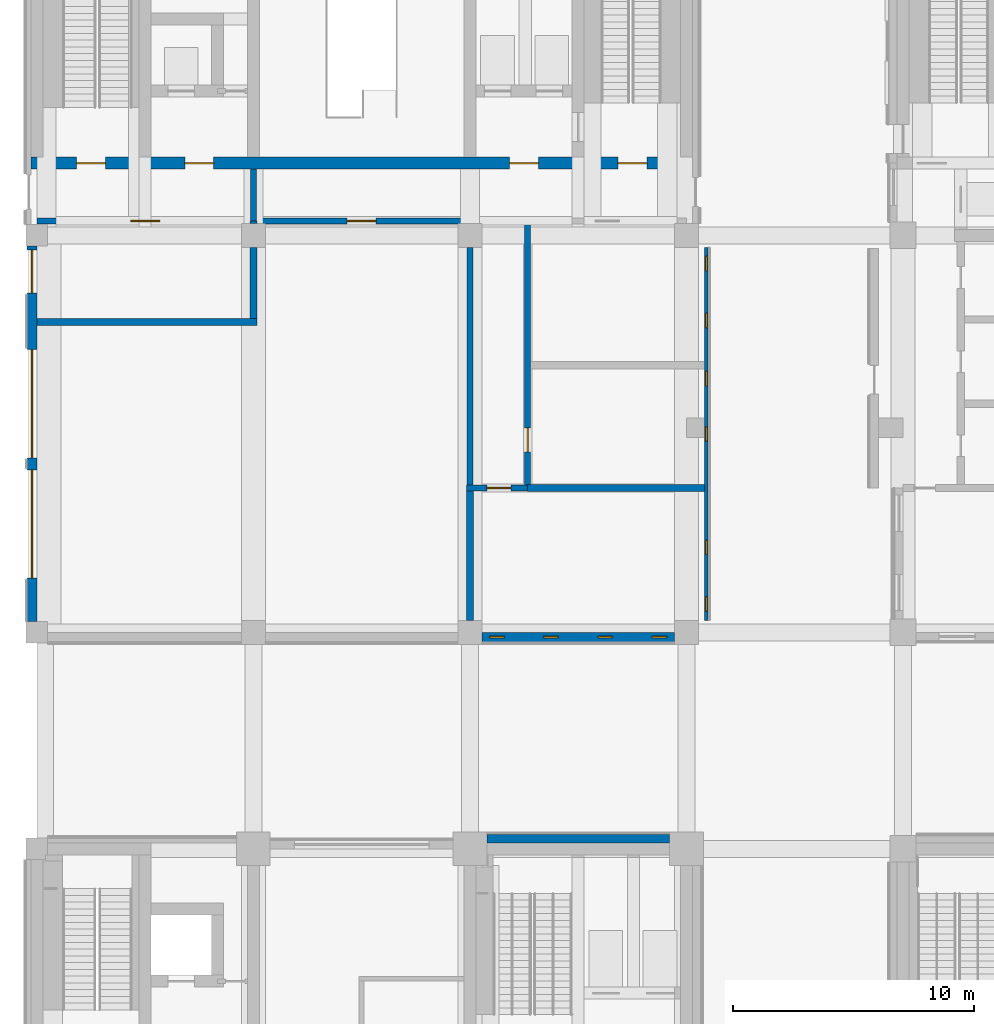
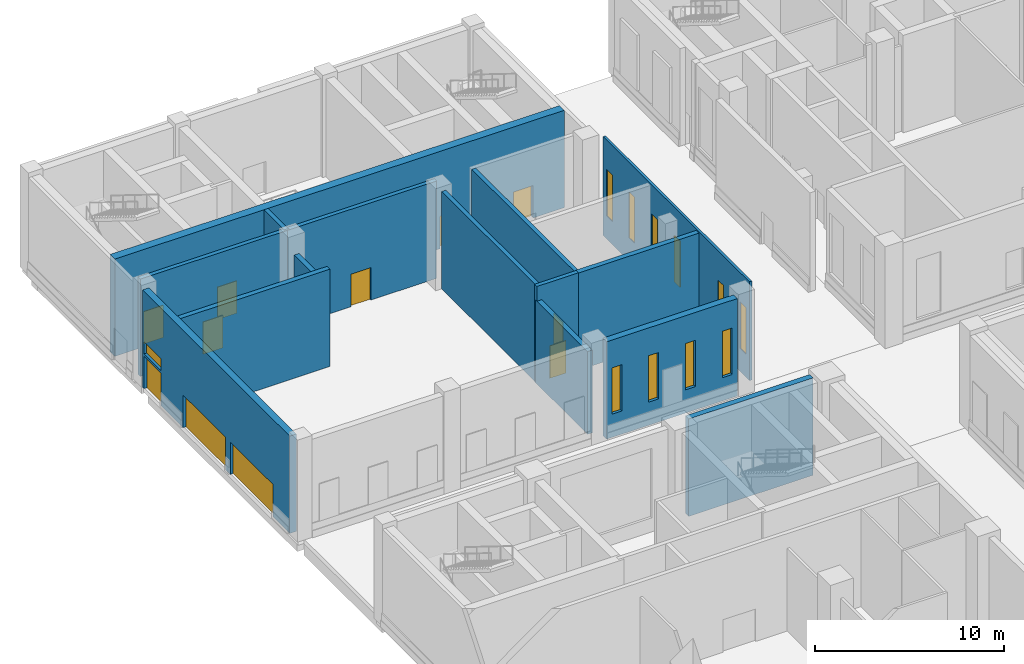
# One storey, part 11 of 35: 16 walls, 11 doors, 11 windows, 22 openings.
"""IFC4 building model written with IfcOpenShell, lengths in metres."""

import ifcopenshell
import ifcopenshell.guid

model = None  # the IFC model being written
_history = None  # IfcOwnerHistory: only IFC2X3 demands one
_inside = {}  # id of a spatial element -> (the spatial element, [elements in it])
_under = {}  # id of a project, library or spatial element -> (it, [spatial elements below it])
_declared = {}  # id of a project -> (the project, [libraries it declares])
_typed = {}  # id of a type object -> (the type object, [elements of that type])
_made_of = {}  # id of a material, layer set ... -> (it, [elements and type objects made of it])


def new_model(schema):
    """Start an empty IFC model of exactly this schema.

    Asked for "IFC4X3", IfcOpenShell would pick the latest addendum, in which some entities
    have other attributes; the version numbers below select the first issue.
    IFC2X3 requires an IfcOwnerHistory on every rooted entity: one is made here for all.
    """
    global model, _history
    if schema == "IFC4X3":
        model = ifcopenshell.file(schema_version=(4, 3, 0, 0))
    else:
        model = ifcopenshell.file(schema=schema)
    _inside.clear()
    _under.clear()
    _declared.clear()
    _typed.clear()
    _made_of.clear()
    _history = None
    if model.schema == "IFC2X3":
        org = make("IfcOrganization", Name="unknown")
        user = make(
            "IfcPersonAndOrganization",
            ThePerson=make("IfcPerson", FamilyName="unknown"),
            TheOrganization=org,
        )
        app = make(
            "IfcApplication",
            ApplicationDeveloper=org,
            Version="unknown",
            ApplicationFullName="unknown",
            ApplicationIdentifier="unknown",
        )
        _history = make(
            "IfcOwnerHistory",
            OwningUser=user,
            OwningApplication=app,
            ChangeAction="ADDED",
            CreationDate=0,
        )
    return model


def make(cls, **values):
    """One entity of the class cls with the attributes given. An attribute that is None is left unset."""
    return model.create_entity(
        cls, **{name: value for name, value in values.items() if value is not None}
    )


def rooted(cls, **values):
    """An entity with a GlobalId (a new one), such as an element, a storey or a relation."""
    return make(cls, GlobalId=ifcopenshell.guid.new(), OwnerHistory=_history, **values)


def si_unit(unit_type, name, prefix=None):
    """IfcSIUnit, for example si_unit("LENGTHUNIT", "METRE", prefix="MILLI")."""
    return make("IfcSIUnit", UnitType=unit_type, Prefix=prefix, Name=name)


def assignment(units):
    """IfcUnitAssignment: the units of a project."""
    return None if units is None else make("IfcUnitAssignment", Units=units)


def point(xyz):
    """IfcCartesianPoint."""
    return None if xyz is None else make("IfcCartesianPoint", Coordinates=xyz)


def direction(xyz):
    """IfcDirection."""
    return None if xyz is None else make("IfcDirection", DirectionRatios=xyz)


def frame(location, z_axis=None, x_axis=None):
    """IfcAxis2Placement3D, a coordinate frame: its origin and axes. An axis left out is left unset."""
    return make(
        "IfcAxis2Placement3D",
        Location=point(location),
        Axis=direction(z_axis),
        RefDirection=direction(x_axis),
    )


def frame_2d(location, x_axis=None):
    """IfcAxis2Placement2D, a coordinate frame in the plane: its origin and x axis."""
    return make(
        "IfcAxis2Placement2D", Location=point(location), RefDirection=direction(x_axis)
    )


def origin():
    """The frame at (0, 0, 0) with its axes left unset."""
    return frame((0.0, 0.0, 0.0))


def place(relative_to, where):
    """IfcLocalPlacement: puts the frame where relative to a parent placement (None: the world)."""
    return make(
        "IfcLocalPlacement", PlacementRelTo=relative_to, RelativePlacement=where
    )


def context(
    kind, dimensions, precision=None, world=None, true_north=None, identifier=None
):
    """IfcGeometricRepresentationContext, for example the 3D "Model" context."""
    return make(
        "IfcGeometricRepresentationContext",
        ContextIdentifier=identifier,
        ContextType=kind,
        CoordinateSpaceDimension=dimensions,
        Precision=precision,
        WorldCoordinateSystem=world,
        TrueNorth=true_north,
    )


def subcontext(parent, identifier, kind, view, scale=None):
    """IfcGeometricRepresentationSubContext, for example "Body" below "Model"."""
    return make(
        "IfcGeometricRepresentationSubContext",
        ContextIdentifier=identifier,
        ContextType=kind,
        ParentContext=parent,
        TargetScale=scale,
        TargetView=view,
    )


def project(units=None, contexts=None):
    """IfcProject with its units and contexts."""
    return rooted(
        "IfcProject",
        Name="project",
        RepresentationContexts=contexts,
        UnitsInContext=assignment(units),
    )


def spatial(cls, under=None, at=None, **own):
    """A site, building, storey or space (cls), placed at a placement, below another one or the project."""
    s = rooted(cls, ObjectPlacement=at, **own)
    if under is not None:
        _under.setdefault(under.id(), (under, []))[1].append(s)
    return s


def profile(cls, at=None, kind="AREA", **sizes):
    """A parametric profile (cls). Its sizes go by their IFC names, for example OverallWidth=200.0."""
    return make(cls, ProfileType=kind, Position=at, **sizes)


def rectangle(**sizes):
    """IfcRectangleProfileDef."""
    return profile("IfcRectangleProfileDef", **sizes)


def extrude(swept, where, along, depth):
    """IfcExtrudedAreaSolid: the profile swept, set in the frame where, extruded along a direction by depth."""
    return make(
        "IfcExtrudedAreaSolid",
        SweptArea=swept,
        Position=where,
        ExtrudedDirection=direction(along),
        Depth=depth,
    )


def shape(context_of_items, identifier, shape_type, items):
    """IfcShapeRepresentation: the items that make up one representation, for example the "Body"."""
    return make(
        "IfcShapeRepresentation",
        ContextOfItems=context_of_items,
        RepresentationIdentifier=identifier,
        RepresentationType=shape_type,
        Items=items,
    )


def material(Name=None, Category=None):
    """IfcMaterial."""
    return make("IfcMaterial", Name=Name, Category=Category)


def layer(
    of_material, thickness, ventilated=None, Name=None, Category=None, Priority=None
):
    """IfcMaterialLayer: one layer of a wall or slab, of a material (None: an air gap)."""
    return make(
        "IfcMaterialLayer",
        Material=of_material,
        LayerThickness=thickness,
        IsVentilated=ventilated,
        Name=Name,
        Category=Category,
        Priority=Priority,
    )


def layer_set(layers, Name=None):
    """IfcMaterialLayerSet."""
    return make("IfcMaterialLayerSet", MaterialLayers=layers, LayerSetName=Name)


def made_of(thing, what):
    """Note that an element or type object is made of a material, layer set ...; save() writes the relation."""
    if what is not None:
        _made_of.setdefault(what.id(), (what, []))[1].append(thing)
    return thing


def type_object(cls, material=None, **own):
    """A type object (cls), such as IfcWallType, which elements share."""
    return made_of(rooted(cls, **own), material)


def element(
    cls,
    number,
    at=None,
    inside=None,
    cuts=None,
    type_object=None,
    material=None,
    context=None,
    identifier="Body",
    shape_type=None,
    held_by="IfcProductDefinitionShape",
    body=None,
    shapes=None,
    **own,
):
    """One element of the class cls, such as IfcWall. Its Tag is "e" and its number.

    at: its placement. inside: the storey or other place that contains it. cuts: it is an
    opening in that element (IfcRelVoidsElement). A single representation is given by context,
    identifier, shape_type and body (its items); several are given by shapes. held_by: the class
    of the entity that holds the representations. save() writes the other relations.
    """
    e = rooted(cls, Tag="e%d" % number, ObjectPlacement=at, **own)
    if body is not None:
        shapes = [shape(context, identifier, shape_type, body)]
    if shapes is not None:
        e.Representation = make(held_by, Representations=shapes)
    if inside is not None:
        _inside.setdefault(inside.id(), (inside, []))[1].append(e)
    if cuts is not None:
        rooted(
            "IfcRelVoidsElement", RelatingBuildingElement=cuts, RelatedOpeningElement=e
        )
    if type_object is not None:
        _typed.setdefault(type_object.id(), (type_object, []))[1].append(e)
    return made_of(e, material)


def fill(opening, filler):
    """IfcRelFillsElement: the door or window that sits in an opening."""
    return rooted(
        "IfcRelFillsElement",
        RelatingOpeningElement=opening,
        RelatedBuildingElement=filler,
    )


def aggregate(whole, parts):
    """IfcRelAggregates: a whole, such as a stair, and the parts it consists of."""
    return rooted("IfcRelAggregates", RelatingObject=whole, RelatedObjects=parts)


def save(model, path):
    """Write the relations noted so far, then the file.

    IfcRelAggregates (storeys below a building ...), IfcRelContainedInSpatialStructure (elements
    in a storey), IfcRelDefinesByType, IfcRelAssociatesMaterial and IfcRelDeclares: one each for
    every whole, place, type object, material and project.
    """
    for whole, parts in _under.values():
        aggregate(whole, parts)
    for where, things in _inside.values():
        rooted(
            "IfcRelContainedInSpatialStructure",
            RelatedElements=things,
            RelatingStructure=where,
        )
    for kind, things in _typed.values():
        rooted("IfcRelDefinesByType", RelatedObjects=things, RelatingType=kind)
    for what, things in _made_of.values():
        rooted("IfcRelAssociatesMaterial", RelatedObjects=things, RelatingMaterial=what)
    for by, libraries in _declared.values():
        rooted("IfcRelDeclares", RelatingContext=by, RelatedDefinitions=libraries)
    model.write(path)


model = new_model("IFC4")

# Units and contexts
model_context = context("Model", 3, precision=1e-05, world=origin(), true_north=direction((0.0, 1.0)))
body_context = subcontext(model_context, "Body", "Model", "MODEL_VIEW")
ifc_project = project(units=[si_unit("LENGTHUNIT", "METRE"), si_unit("AREAUNIT", "SQUARE_METRE"), si_unit("VOLUMEUNIT", "CUBIC_METRE"), si_unit("PLANEANGLEUNIT", "RADIAN"), si_unit("MASSUNIT", "GRAM", prefix="KILO")], contexts=[model_context])

# Site, building, storey
site_placement = place(None, origin())
site = spatial("IfcSite", under=ifc_project, at=site_placement, CompositionType="ELEMENT")
building_placement = place(site_placement, origin())
building = spatial("IfcBuilding", under=site, at=building_placement, Name="Aurelan Courthouse", CompositionType="ELEMENT")
storey_placement = place(building_placement, origin())
storey = spatial("IfcBuildingStorey", under=building, at=storey_placement, Name="L00", CompositionType="ELEMENT", Elevation=0.0)

# Wall
ifc_material_1 = material(Name="Granite cladding", Category="masonry")
ifc_layer_1 = layer(ifc_material_1, 0.10009765625, Name="Facing")
ifc_material_2 = material(Name="Ventilated cavity")
ifc_layer_2 = layer(ifc_material_2, 0.02490234375, ventilated=True, Name="Ventilated cavity")
ifc_material_3 = material(Name="Mineral wool insulation")
ifc_layer_3 = layer(ifc_material_3, 0.050048828125, Name="Insulation")
ifc_material_4 = material(Name="Concrete C30", Category="concrete")
ifc_layer_4 = layer(ifc_material_4, 0.175048828125, Name="Structure")
ifc_layer_set_1 = layer_set([ifc_layer_1, ifc_layer_2, ifc_layer_3, ifc_layer_4], Name="Concrete C30")
wall_type_1 = type_object("IfcWallType", Name="Courts' Floors granite-faced wall 350", PredefinedType="SOLIDWALL", material=ifc_layer_set_1)
wall_1_placement = place(storey_placement, frame((18.699951171875, 28.925048828125, 0.0), z_axis=(0.0, 0.0, 1.0), x_axis=(1.0, 0.0, 0.0)))
element("IfcWall", 1, at=wall_1_placement, inside=storey, type_object=wall_type_1, Name="Facade wall FW-V5-L00-006", PredefinedType="SOLIDWALL", context=body_context, shape_type="SweptSolid", body=[
    extrude(rectangle(XDim=7.60009765625, YDim=0.35009765625, at=frame_2d((3.800048828125, 0.0))), origin(), (0.0, 0.0, 1.0), 6.300048828125),
])

# Wall, openings, windows
ifc_layer_5 = layer(ifc_material_1, 0.044921875, Name="Facing")
ifc_layer_6 = layer(ifc_material_2, 0.02490234375, ventilated=True, Name="Ventilated cavity")
ifc_layer_7 = layer(ifc_material_3, 0.02001953125, Name="Insulation")
ifc_layer_8 = layer(ifc_material_4, 0.06005859375, Name="Structure")
ifc_layer_set_2 = layer_set([ifc_layer_5, ifc_layer_6, ifc_layer_7, ifc_layer_8], Name="Concrete C30")
wall_type_2 = type_object("IfcWallType", Name="Custody Suite granite-faced wall 150", PredefinedType="SOLIDWALL", material=ifc_layer_set_2)
wall_2_placement = place(storey_placement, frame((27.824951171875, 38.0, 0.0), z_axis=(0.0, 0.0, 1.0), x_axis=(0.0, 1.0, 0.0)))
wall_2 = element("IfcWall", 2, at=wall_2_placement, inside=storey, type_object=wall_type_2, Name="Facade wall FW-V6-L00-008", PredefinedType="SOLIDWALL", context=body_context, shape_type="SweptSolid", body=[
    extrude(rectangle(XDim=15.5, YDim=0.14990234375, at=frame_2d((7.75, 0.0))), origin(), (0.0, 0.0, 1.0), 6.39990234375),
])
opening_1_placement = place(wall_2_placement, frame((0.378662109375, 0.0, 1.5)))
opening_1 = element("IfcOpeningElement", 3, at=opening_1_placement, cuts=wall_2, Name="Opening WN-V6-L00-005", PredefinedType="OPENING", context=body_context, shape_type="SweptSolid", body=[
    extrude(rectangle(XDim=0.60009765625, YDim=3.0, at=frame_2d((0.300048828125, 1.5))), frame((0.0, 0.0849609375, 0.0), z_axis=(0.0, -1.0, 0.0), x_axis=(1.0, 0.0, 0.0)), (0.0, 0.0, 1.0), 0.169921875),
])
opening_2_placement = place(wall_2_placement, frame((2.735595703125, 0.0, 1.5)))
opening_2 = element("IfcOpeningElement", 4, at=opening_2_placement, cuts=wall_2, Name="Opening WN-V6-L00-006", PredefinedType="OPENING", context=body_context, shape_type="SweptSolid", body=[
    extrude(rectangle(XDim=0.60009765625, YDim=3.0, at=frame_2d((0.300048828125, 1.5))), frame((0.0, 0.0849609375, 0.0), z_axis=(0.0, -1.0, 0.0), x_axis=(1.0, 0.0, 0.0)), (0.0, 0.0, 1.0), 0.169921875),
])
opening_3_placement = place(wall_2_placement, frame((7.449951171875, 0.0, 1.5)))
opening_3 = element("IfcOpeningElement", 5, at=opening_3_placement, cuts=wall_2, Name="Opening WN-V6-L00-007", PredefinedType="OPENING", context=body_context, shape_type="SweptSolid", body=[
    extrude(rectangle(XDim=0.60009765625, YDim=3.0, at=frame_2d((0.300048828125, 1.5))), frame((0.0, 0.0849609375, 0.0), z_axis=(0.0, -1.0, 0.0), x_axis=(1.0, 0.0, 0.0)), (0.0, 0.0, 1.0), 0.169921875),
])
opening_4_placement = place(wall_2_placement, frame((9.7470703125, 0.0, 1.5)))
opening_4 = element("IfcOpeningElement", 6, at=opening_4_placement, cuts=wall_2, Name="Opening WN-V6-L00-008", PredefinedType="OPENING", context=body_context, shape_type="SweptSolid", body=[
    extrude(rectangle(XDim=0.60009765625, YDim=3.0, at=frame_2d((0.300048828125, 1.5))), frame((0.0, 0.0849609375, 0.0), z_axis=(0.0, -1.0, 0.0), x_axis=(1.0, 0.0, 0.0)), (0.0, 0.0, 1.0), 0.169921875),
])
opening_5_placement = place(wall_2_placement, frame((12.164306640625, 0.0, 1.5)))
opening_5 = element("IfcOpeningElement", 7, at=opening_5_placement, cuts=wall_2, Name="Opening WN-V6-L00-009", PredefinedType="OPENING", context=body_context, shape_type="SweptSolid", body=[
    extrude(rectangle(XDim=0.60009765625, YDim=3.0, at=frame_2d((0.300048828125, 1.5))), frame((0.0, 0.0849609375, 0.0), z_axis=(0.0, -1.0, 0.0), x_axis=(1.0, 0.0, 0.0)), (0.0, 0.0, 1.0), 0.169921875),
])
opening_6_placement = place(wall_2_placement, frame((14.521484375, 0.0, 1.5)))
opening_6 = element("IfcOpeningElement", 8, at=opening_6_placement, cuts=wall_2, Name="Opening WN-V6-L00-010", PredefinedType="OPENING", context=body_context, shape_type="SweptSolid", body=[
    extrude(rectangle(XDim=0.60009765625, YDim=3.0, at=frame_2d((0.300048828125, 1.5))), frame((0.0, 0.0849609375, 0.0), z_axis=(0.0, -1.0, 0.0), x_axis=(1.0, 0.0, 0.0)), (0.0, 0.0, 1.0), 0.169921875),
])
ifc_material_5 = material(Name="Bronze-finished aluminium and glass", Category="aluminium")
window_type_1 = type_object("IfcWindowType", Name="Custody Suite slit window 600 x 3000, sill 1500", PartitioningType="SINGLE_PANEL", PredefinedType="WINDOW", material=ifc_material_5)
window_1_placement = place(opening_1_placement, origin())
window_1 = element("IfcWindow", 9, at=window_1_placement, inside=storey, type_object=window_type_1, Name="Slit window WN-V6-L00-005", OverallHeight=3.0, OverallWidth=0.60009765625, PartitioningType="SINGLE_PANEL", PredefinedType="WINDOW", context=body_context, shape_type="SweptSolid", body=[
    extrude(rectangle(XDim=0.60009765625, YDim=3.0, at=frame_2d((0.300048828125, 1.5))), frame((0.0, 0.030029296875, 0.0), z_axis=(0.0, -1.0, 0.0), x_axis=(1.0, 0.0, 0.0)), (0.0, 0.0, 1.0), 0.06005859375),
])
fill(opening_1, window_1)
window_2_placement = place(opening_2_placement, origin())
window_2 = element("IfcWindow", 10, at=window_2_placement, inside=storey, type_object=window_type_1, Name="Slit window WN-V6-L00-006", OverallHeight=3.0, OverallWidth=0.60009765625, PartitioningType="SINGLE_PANEL", PredefinedType="WINDOW", context=body_context, shape_type="SweptSolid", body=[
    extrude(rectangle(XDim=0.60009765625, YDim=3.0, at=frame_2d((0.300048828125, 1.5))), frame((0.0, 0.030029296875, 0.0), z_axis=(0.0, -1.0, 0.0), x_axis=(1.0, 0.0, 0.0)), (0.0, 0.0, 1.0), 0.06005859375),
])
fill(opening_2, window_2)
window_3_placement = place(opening_3_placement, origin())
window_3 = element("IfcWindow", 11, at=window_3_placement, inside=storey, type_object=window_type_1, Name="Slit window WN-V6-L00-007", OverallHeight=3.0, OverallWidth=0.60009765625, PartitioningType="SINGLE_PANEL", PredefinedType="WINDOW", context=body_context, shape_type="SweptSolid", body=[
    extrude(rectangle(XDim=0.60009765625, YDim=3.0, at=frame_2d((0.300048828125, 1.5))), frame((0.0, 0.030029296875, 0.0), z_axis=(0.0, -1.0, 0.0), x_axis=(1.0, 0.0, 0.0)), (0.0, 0.0, 1.0), 0.06005859375),
])
fill(opening_3, window_3)
window_4_placement = place(opening_4_placement, origin())
window_4 = element("IfcWindow", 12, at=window_4_placement, inside=storey, type_object=window_type_1, Name="Slit window WN-V6-L00-008", OverallHeight=3.0, OverallWidth=0.60009765625, PartitioningType="SINGLE_PANEL", PredefinedType="WINDOW", context=body_context, shape_type="SweptSolid", body=[
    extrude(rectangle(XDim=0.60009765625, YDim=3.0, at=frame_2d((0.300048828125, 1.5))), frame((0.0, 0.030029296875, 0.0), z_axis=(0.0, -1.0, 0.0), x_axis=(1.0, 0.0, 0.0)), (0.0, 0.0, 1.0), 0.06005859375),
])
fill(opening_4, window_4)
window_5_placement = place(opening_5_placement, origin())
window_5 = element("IfcWindow", 13, at=window_5_placement, inside=storey, type_object=window_type_1, Name="Slit window WN-V6-L00-009", OverallHeight=3.0, OverallWidth=0.60009765625, PartitioningType="SINGLE_PANEL", PredefinedType="WINDOW", context=body_context, shape_type="SweptSolid", body=[
    extrude(rectangle(XDim=0.60009765625, YDim=3.0, at=frame_2d((0.300048828125, 1.5))), frame((0.0, 0.030029296875, 0.0), z_axis=(0.0, -1.0, 0.0), x_axis=(1.0, 0.0, 0.0)), (0.0, 0.0, 1.0), 0.06005859375),
])
fill(opening_5, window_5)
window_6_placement = place(opening_6_placement, origin())
window_6 = element("IfcWindow", 14, at=window_6_placement, inside=storey, type_object=window_type_1, Name="Slit window WN-V6-L00-010", OverallHeight=3.0, OverallWidth=0.60009765625, PartitioningType="SINGLE_PANEL", PredefinedType="WINDOW", context=body_context, shape_type="SweptSolid", body=[
    extrude(rectangle(XDim=0.60009765625, YDim=3.0, at=frame_2d((0.300048828125, 1.5))), frame((0.0, 0.030029296875, 0.0), z_axis=(0.0, -1.0, 0.0), x_axis=(1.0, 0.0, 0.0)), (0.0, 0.0, 1.0), 0.06005859375),
])
fill(opening_6, window_6)

ifc_layer_9 = layer(ifc_material_1, 0.114990234375, Name="Facing")
ifc_layer_10 = layer(ifc_material_2, 0.02490234375, ventilated=True, Name="Ventilated cavity")
ifc_layer_11 = layer(ifc_material_3, 0.054931640625, Name="Insulation")
ifc_layer_12 = layer(ifc_material_4, 0.205078125, Name="Structure")
ifc_layer_set_3 = layer_set([ifc_layer_9, ifc_layer_10, ifc_layer_11, ifc_layer_12], Name="Concrete C30")
wall_type_3 = type_object("IfcWallType", Name="Custody Suite granite-faced wall 400", PredefinedType="SOLIDWALL", material=ifc_layer_set_3)
wall_3_placement = place(storey_placement, frame((18.5, 37.300048828125, 0.0), z_axis=(0.0, 0.0, 1.0), x_axis=(1.0, 0.0, 0.0)))
wall_3 = element("IfcWall", 15, at=wall_3_placement, inside=storey, type_object=wall_type_3, Name="Facade wall FW-V6-L00-003", PredefinedType="SOLIDWALL", context=body_context, shape_type="SweptSolid", body=[
    extrude(rectangle(XDim=8.0, YDim=0.39990234375, at=frame_2d((4.0, 0.0))), origin(), (0.0, 0.0, 1.0), 6.300048828125),
])
opening_7_placement = place(wall_3_placement, frame((0.324951171875, 0.0, 1.5)))
opening_7 = element("IfcOpeningElement", 16, at=opening_7_placement, cuts=wall_3, Name="Opening WN-V6-L00-001", PredefinedType="OPENING", context=body_context, shape_type="SweptSolid", body=[
    extrude(rectangle(XDim=0.60009765625, YDim=3.0, at=frame_2d((0.300048828125, 1.5))), frame((0.0, 0.2099609375, 0.0), z_axis=(0.0, -1.0, 0.0), x_axis=(1.0, 0.0, 0.0)), (0.0, 0.0, 1.0), 0.419921875),
])
opening_8_placement = place(wall_3_placement, frame((2.574951171875, 0.0, 1.5)))
opening_8 = element("IfcOpeningElement", 17, at=opening_8_placement, cuts=wall_3, Name="Opening WN-V6-L00-002", PredefinedType="OPENING", context=body_context, shape_type="SweptSolid", body=[
    extrude(rectangle(XDim=0.60009765625, YDim=3.0, at=frame_2d((0.300048828125, 1.5))), frame((0.0, 0.2099609375, 0.0), z_axis=(0.0, -1.0, 0.0), x_axis=(1.0, 0.0, 0.0)), (0.0, 0.0, 1.0), 0.419921875),
])
opening_9_placement = place(wall_3_placement, frame((4.824951171875, 0.0, 1.5)))
opening_9 = element("IfcOpeningElement", 18, at=opening_9_placement, cuts=wall_3, Name="Opening WN-V6-L00-003", PredefinedType="OPENING", context=body_context, shape_type="SweptSolid", body=[
    extrude(rectangle(XDim=0.60009765625, YDim=3.0, at=frame_2d((0.300048828125, 1.5))), frame((0.0, 0.2099609375, 0.0), z_axis=(0.0, -1.0, 0.0), x_axis=(1.0, 0.0, 0.0)), (0.0, 0.0, 1.0), 0.419921875),
])
opening_10_placement = place(wall_3_placement, frame((7.074951171875, 0.0, 1.5)))
opening_10 = element("IfcOpeningElement", 19, at=opening_10_placement, cuts=wall_3, Name="Opening WN-V6-L00-004", PredefinedType="OPENING", context=body_context, shape_type="SweptSolid", body=[
    extrude(rectangle(XDim=0.60009765625, YDim=3.0, at=frame_2d((0.300048828125, 1.5))), frame((0.0, 0.2099609375, 0.0), z_axis=(0.0, -1.0, 0.0), x_axis=(1.0, 0.0, 0.0)), (0.0, 0.0, 1.0), 0.419921875),
])
window_7_placement = place(opening_7_placement, origin())
window_7 = element("IfcWindow", 20, at=window_7_placement, inside=storey, type_object=window_type_1, Name="Slit window WN-V6-L00-001", OverallHeight=3.0, OverallWidth=0.60009765625, PartitioningType="SINGLE_PANEL", PredefinedType="WINDOW", context=body_context, shape_type="SweptSolid", body=[
    extrude(rectangle(XDim=0.60009765625, YDim=3.0, at=frame_2d((0.300048828125, 1.5))), frame((0.0, 0.030029296875, 0.0), z_axis=(0.0, -1.0, 0.0), x_axis=(1.0, 0.0, 0.0)), (0.0, 0.0, 1.0), 0.06005859375),
])
fill(opening_7, window_7)
window_8_placement = place(opening_8_placement, origin())
window_8 = element("IfcWindow", 21, at=window_8_placement, inside=storey, type_object=window_type_1, Name="Slit window WN-V6-L00-002", OverallHeight=3.0, OverallWidth=0.60009765625, PartitioningType="SINGLE_PANEL", PredefinedType="WINDOW", context=body_context, shape_type="SweptSolid", body=[
    extrude(rectangle(XDim=0.60009765625, YDim=3.0, at=frame_2d((0.300048828125, 1.5))), frame((0.0, 0.030029296875, 0.0), z_axis=(0.0, -1.0, 0.0), x_axis=(1.0, 0.0, 0.0)), (0.0, 0.0, 1.0), 0.06005859375),
])
fill(opening_8, window_8)
window_9_placement = place(opening_9_placement, origin())
window_9 = element("IfcWindow", 22, at=window_9_placement, inside=storey, type_object=window_type_1, Name="Slit window WN-V6-L00-003", OverallHeight=3.0, OverallWidth=0.60009765625, PartitioningType="SINGLE_PANEL", PredefinedType="WINDOW", context=body_context, shape_type="SweptSolid", body=[
    extrude(rectangle(XDim=0.60009765625, YDim=3.0, at=frame_2d((0.300048828125, 1.5))), frame((0.0, 0.030029296875, 0.0), z_axis=(0.0, -1.0, 0.0), x_axis=(1.0, 0.0, 0.0)), (0.0, 0.0, 1.0), 0.06005859375),
])
fill(opening_9, window_9)
window_10_placement = place(opening_10_placement, origin())
window_10 = element("IfcWindow", 23, at=window_10_placement, inside=storey, type_object=window_type_1, Name="Slit window WN-V6-L00-004", OverallHeight=3.0, OverallWidth=0.60009765625, PartitioningType="SINGLE_PANEL", PredefinedType="WINDOW", context=body_context, shape_type="SweptSolid", body=[
    extrude(rectangle(XDim=0.60009765625, YDim=3.0, at=frame_2d((0.300048828125, 1.5))), frame((0.0, 0.030029296875, 0.0), z_axis=(0.0, -1.0, 0.0), x_axis=(1.0, 0.0, 0.0)), (0.0, 0.0, 1.0), 0.06005859375),
])
fill(opening_10, window_10)

# Wall, openings, doors, window
wall_4_placement = place(storey_placement, frame((-0.199951171875, 37.949951171875, 0.0), z_axis=(0.0, 0.0, 1.0), x_axis=(0.0, 1.0, 0.0)))
wall_4 = element("IfcWall", 24, at=wall_4_placement, inside=storey, type_object=wall_type_3, Name="Facade wall FW-V6-L00-010", PredefinedType="SOLIDWALL", context=body_context, shape_type="SweptSolid", body=[
    extrude(rectangle(XDim=15.60009765625, YDim=0.39990234375, at=frame_2d((7.800048828125, 0.0))), origin(), (0.0, 0.0, 1.0), 6.300048828125),
])
opening_11_placement = place(wall_4_placement, frame((1.800048828125, 0.0, 0.0)))
opening_11 = element("IfcOpeningElement", 25, at=opening_11_placement, cuts=wall_4, Name="Opening D-L00-122", PredefinedType="OPENING", context=body_context, shape_type="SweptSolid", body=[
    extrude(rectangle(XDim=4.5, YDim=2.10009765625, at=frame_2d((2.25, 1.050048828125))), frame((0.0, 0.2099609375, 0.0), z_axis=(0.0, -1.0, 0.0), x_axis=(1.0, 0.0, 0.0)), (0.0, 0.0, 1.0), 0.419921875),
])
opening_12_placement = place(wall_4_placement, frame((6.800048828125, 0.0, 0.0)))
opening_12 = element("IfcOpeningElement", 26, at=opening_12_placement, cuts=wall_4, Name="Opening D-L00-123", PredefinedType="OPENING", context=body_context, shape_type="SweptSolid", body=[
    extrude(rectangle(XDim=4.5, YDim=2.10009765625, at=frame_2d((2.25, 1.050048828125))), frame((0.0, 0.2099609375, 0.0), z_axis=(0.0, -1.0, 0.0), x_axis=(1.0, 0.0, 0.0)), (0.0, 0.0, 1.0), 0.419921875),
])
opening_13_placement = place(wall_4_placement, frame((13.64990234375, 0.0, 0.0)))
opening_13 = element("IfcOpeningElement", 27, at=opening_13_placement, cuts=wall_4, Name="Opening D-L00-125", PredefinedType="OPENING", context=body_context, shape_type="SweptSolid", body=[
    extrude(rectangle(XDim=1.800048828125, YDim=2.10009765625, at=frame_2d((0.89990234375, 1.050048828125))), frame((0.0, 0.2099609375, 0.0), z_axis=(0.0, -1.0, 0.0), x_axis=(1.0, 0.0, 0.0)), (0.0, 0.0, 1.0), 0.419921875),
])
opening_14_placement = place(wall_4_placement, frame((13.64990234375, 0.0, 2.25)))
opening_14 = element("IfcOpeningElement", 28, at=opening_14_placement, cuts=wall_4, Name="Opening WN-V6-L00-011", PredefinedType="OPENING", context=body_context, shape_type="SweptSolid", body=[
    extrude(rectangle(XDim=1.800048828125, YDim=0.800048828125, at=frame_2d((0.89990234375, 0.39990234375))), frame((0.0, 0.2099609375, 0.0), z_axis=(0.0, -1.0, 0.0), x_axis=(1.0, 0.0, 0.0)), (0.0, 0.0, 1.0), 0.419921875),
])
ifc_material_6 = material(Name="Bronze-clad timber", Category="wood")
door_type_1 = type_object("IfcDoorType", Name="Bronze double door 1800 x 2100", OperationType="SINGLE_SWING_LEFT", PredefinedType="DOOR", material=ifc_material_6)
door_1_placement = place(opening_13_placement, origin())
door_1 = element("IfcDoor", 29, at=door_1_placement, inside=storey, type_object=door_type_1, Name="Entrance door D-L00-125", OperationType="DOUBLE_DOOR_SINGLE_SWING", OverallHeight=2.10009765625, OverallWidth=1.800048828125, PredefinedType="DOOR", context=body_context, shape_type="SweptSolid", body=[
    extrude(rectangle(XDim=1.800048828125, YDim=2.10009765625, at=frame_2d((0.89990234375, 1.050048828125))), frame((0.0, 0.02490234375, 0.0), z_axis=(0.0, -1.0, 0.0), x_axis=(1.0, 0.0, 0.0)), (0.0, 0.0, 1.0), 0.050048828125),
])
fill(opening_13, door_1)
window_type_2 = type_object("IfcWindowType", Name="Custody Suite transom light 1800 x 800, sill 2250", PartitioningType="SINGLE_PANEL", PredefinedType="WINDOW", material=ifc_material_5)
window_11_placement = place(opening_14_placement, origin())
window_11 = element("IfcWindow", 30, at=window_11_placement, inside=storey, type_object=window_type_2, Name="Transom light WN-V6-L00-011", OverallHeight=0.800048828125, OverallWidth=1.800048828125, PartitioningType="SINGLE_PANEL", PredefinedType="WINDOW", context=body_context, shape_type="SweptSolid", body=[
    extrude(rectangle(XDim=1.800048828125, YDim=0.800048828125, at=frame_2d((0.89990234375, 0.39990234375))), frame((0.0, 0.030029296875, 0.0), z_axis=(0.0, -1.0, 0.0), x_axis=(1.0, 0.0, 0.0)), (0.0, 0.0, 1.0), 0.06005859375),
])
fill(opening_14, window_11)
ifc_material_7 = material(Name="Steel roller shutter", Category="steel")
door_type_2 = type_object("IfcDoorType", Name="Roller shutter door 4500 x 2100", OperationType="SINGLE_SWING_LEFT", PredefinedType="GATE", material=ifc_material_7)
door_2_placement = place(opening_11_placement, origin())
door_2 = element("IfcDoor", 31, at=door_2_placement, inside=storey, type_object=door_type_2, Name="Sally port roller door D-L00-122", OperationType="ROLLINGUP", OverallHeight=2.10009765625, OverallWidth=4.5, PredefinedType="GATE", context=body_context, shape_type="SweptSolid", body=[
    extrude(rectangle(XDim=4.5, YDim=2.10009765625, at=frame_2d((2.25, 1.050048828125))), frame((0.0, 0.02490234375, 0.0), z_axis=(0.0, -1.0, 0.0), x_axis=(1.0, 0.0, 0.0)), (0.0, 0.0, 1.0), 0.050048828125),
])
fill(opening_11, door_2)
door_3_placement = place(opening_12_placement, origin())
door_3 = element("IfcDoor", 32, at=door_3_placement, inside=storey, type_object=door_type_2, Name="Sally port roller door D-L00-123", OperationType="ROLLINGUP", OverallHeight=2.10009765625, OverallWidth=4.5, PredefinedType="GATE", context=body_context, shape_type="SweptSolid", body=[
    extrude(rectangle(XDim=4.5, YDim=2.10009765625, at=frame_2d((2.25, 1.050048828125))), frame((0.0, 0.02490234375, 0.0), z_axis=(0.0, -1.0, 0.0), x_axis=(1.0, 0.0, 0.0)), (0.0, 0.0, 1.0), 0.050048828125),
])
fill(opening_12, door_3)

# Walls
ifc_layer_13 = layer(ifc_material_4, 0.300048828125)
ifc_layer_set_4 = layer_set([ifc_layer_13], Name="Concrete C30")
wall_type_4 = type_object("IfcWallType", Name="Custody wall 300 EI 120", PredefinedType="PARTITIONING", material=ifc_layer_set_4)
wall_5_placement = place(storey_placement, frame((20.39990234375, 43.5, 0.0), z_axis=(0.0, 0.0, 1.0), x_axis=(1.0, 0.0, 0.0)))
element("IfcWall", 33, at=wall_5_placement, inside=storey, type_object=wall_type_4, Name="Custody wall L00-026", PredefinedType="PARTITIONING", context=body_context, shape_type="SweptSolid", body=[
    extrude(rectangle(XDim=7.35009765625, YDim=0.300048828125, at=frame_2d((3.675048828125, 0.0))), origin(), (0.0, 0.0, 1.0), 6.300048828125),
])
wall_6_placement = place(storey_placement, frame((0.0, 50.39990234375, 0.0), z_axis=(0.0, 0.0, 1.0), x_axis=(1.0, 0.0, 0.0)))
element("IfcWall", 34, at=wall_6_placement, inside=storey, type_object=wall_type_4, Name="Custody wall L00-036", PredefinedType="PARTITIONING", context=body_context, shape_type="SweptSolid", body=[
    extrude(rectangle(XDim=9.14990234375, YDim=0.300048828125, at=frame_2d((4.574951171875, 0.0))), origin(), (0.0, 0.0, 1.0), 6.300048828125),
])
wall_7_placement = place(storey_placement, frame((9.0, 50.550048828125, 0.0), z_axis=(0.0, 0.0, 1.0), x_axis=(0.0, 1.0, 0.0)))
element("IfcWall", 35, at=wall_7_placement, inside=storey, type_object=wall_type_4, Name="Custody wall L00-059", PredefinedType="PARTITIONING", context=body_context, shape_type="SweptSolid", body=[
    extrude(rectangle(XDim=2.949951171875, YDim=0.300048828125, at=frame_2d((1.47509765625, 0.0))), origin(), (0.0, 0.0, 1.0), 5.35009765625),
])
wall_8_placement = place(storey_placement, frame((9.0, 54.5, 0.0), z_axis=(0.0, 0.0, 1.0), x_axis=(0.0, 1.0, 0.0)))
element("IfcWall", 36, at=wall_8_placement, inside=storey, type_object=wall_type_4, Name="Custody wall L00-060", PredefinedType="PARTITIONING", context=body_context, shape_type="SweptSolid", body=[
    extrude(rectangle(XDim=0.10009765625, YDim=0.300048828125, at=frame_2d((0.050048828125, 0.0))), origin(), (0.0, 0.0, 1.0), 6.300048828125),
])
wall_9_placement = place(storey_placement, frame((18.0, 38.0, 0.0), z_axis=(0.0, 0.0, 1.0), x_axis=(0.0, 1.0, 0.0)))
element("IfcWall", 37, at=wall_9_placement, inside=storey, type_object=wall_type_4, Name="Custody wall L00-066", PredefinedType="PARTITIONING", context=body_context, shape_type="SweptSolid", body=[
    extrude(rectangle(XDim=5.5, YDim=0.300048828125, at=frame_2d((2.75, 0.0))), origin(), (0.0, 0.0, 1.0), 5.35009765625),
])

# Wall, openings, doors
ifc_material_8 = material(Name="Concrete C50", Category="concrete")
ifc_layer_14 = layer(ifc_material_8, 0.5)
ifc_layer_set_5 = layer_set([ifc_layer_14], Name="Concrete C50")
wall_type_5 = type_object("IfcWallType", Name="RC shear wall 500", PredefinedType="SHEAR", material=ifc_layer_set_5)
wall_10_placement = place(storey_placement, frame((-0.25, 57.0, 0.0), z_axis=(0.0, 0.0, 1.0), x_axis=(1.0, 0.0, 0.0)))
wall_10 = element("IfcWall", 38, at=wall_10_placement, inside=storey, type_object=wall_type_5, Name="Core wall SW-L00-059", PredefinedType="SHEAR", context=body_context, shape_type="SweptSolid", body=[
    extrude(rectangle(XDim=27.5, YDim=0.5, at=frame_2d((13.75, 0.0))), origin(), (0.0, 0.0, 1.0), 6.300048828125),
])
opening_15_placement = place(wall_10_placement, frame((1.89990234375, 0.0, 0.0)))
opening_15 = element("IfcOpeningElement", 39, at=opening_15_placement, cuts=wall_10, Name="Opening D-L00-113", PredefinedType="OPENING", context=body_context, shape_type="SweptSolid", body=[
    extrude(rectangle(XDim=1.199951171875, YDim=2.10009765625, at=frame_2d((0.60009765625, 1.050048828125))), frame((0.0, 0.260009765625, 0.0), z_axis=(0.0, -1.0, 0.0), x_axis=(1.0, 0.0, 0.0)), (0.0, 0.0, 1.0), 0.52001953125),
])
opening_16_placement = place(wall_10_placement, frame((7.599853515625, 0.0, 0.0), z_axis=(0.0, 0.0, 1.0), x_axis=(-1.0, 0.0, 0.0)))
opening_16 = element("IfcOpeningElement", 40, at=opening_16_placement, cuts=wall_10, Name="Opening D-L00-114", PredefinedType="OPENING", context=body_context, shape_type="SweptSolid", body=[
    extrude(rectangle(XDim=1.199951171875, YDim=2.10009765625, at=frame_2d((0.60009765625, 1.050048828125))), frame((0.0, 0.260009765625, 0.0), z_axis=(0.0, -1.0, 0.0), x_axis=(1.0, 0.0, 0.0)), (0.0, 0.0, 1.0), 0.52001953125),
])
opening_17_placement = place(wall_10_placement, frame((21.099853515625, 0.0, 0.0), z_axis=(0.0, 0.0, 1.0), x_axis=(-1.0, 0.0, 0.0)))
opening_17 = element("IfcOpeningElement", 41, at=opening_17_placement, cuts=wall_10, Name="Opening D-L00-117", PredefinedType="OPENING", context=body_context, shape_type="SweptSolid", body=[
    extrude(rectangle(XDim=1.199951171875, YDim=2.10009765625, at=frame_2d((0.60009765625, 1.050048828125))), frame((0.0, 0.260009765625, 0.0), z_axis=(0.0, -1.0, 0.0), x_axis=(1.0, 0.0, 0.0)), (0.0, 0.0, 1.0), 0.52001953125),
])
opening_18_placement = place(wall_10_placement, frame((24.39990234375, 0.0, 0.0)))
opening_18 = element("IfcOpeningElement", 42, at=opening_18_placement, cuts=wall_10, Name="Opening D-L00-121", PredefinedType="OPENING", context=body_context, shape_type="SweptSolid", body=[
    extrude(rectangle(XDim=1.199951171875, YDim=2.10009765625, at=frame_2d((0.60009765625, 1.050048828125))), frame((0.0, 0.260009765625, 0.0), z_axis=(0.0, -1.0, 0.0), x_axis=(1.0, 0.0, 0.0)), (0.0, 0.0, 1.0), 0.52001953125),
])
ifc_material_9 = material(Name="Steel", Category="steel")
door_type_3 = type_object("IfcDoorType", Name="Single door 1200 x 2100 FD120", OperationType="SINGLE_SWING_LEFT", PredefinedType="DOOR", material=ifc_material_9)
door_4_placement = place(opening_17_placement, origin())
door_4 = element("IfcDoor", 43, at=door_4_placement, inside=storey, type_object=door_type_3, Name="Single door D-L00-117", OperationType="SINGLE_SWING_LEFT", OverallHeight=2.10009765625, OverallWidth=1.199951171875, PredefinedType="DOOR", context=body_context, shape_type="SweptSolid", body=[
    extrude(rectangle(XDim=1.199951171875, YDim=2.10009765625, at=frame_2d((0.60009765625, 1.050048828125))), frame((0.0, 0.02490234375, 0.0), z_axis=(0.0, -1.0, 0.0), x_axis=(1.0, 0.0, 0.0)), (0.0, 0.0, 1.0), 0.050048828125),
])
fill(opening_17, door_4)
door_5_placement = place(opening_18_placement, origin())
door_5 = element("IfcDoor", 44, at=door_5_placement, inside=storey, type_object=door_type_3, Name="Single door D-L00-121", OperationType="SINGLE_SWING_RIGHT", OverallHeight=2.10009765625, OverallWidth=1.199951171875, PredefinedType="DOOR", context=body_context, shape_type="SweptSolid", body=[
    extrude(rectangle(XDim=1.199951171875, YDim=2.10009765625, at=frame_2d((0.60009765625, 1.050048828125))), frame((0.0, 0.02490234375, 0.0), z_axis=(0.0, -1.0, 0.0), x_axis=(1.0, 0.0, 0.0)), (0.0, 0.0, 1.0), 0.050048828125),
])
fill(opening_18, door_5)
door_type_4 = type_object("IfcDoorType", Name="Single door 1200 x 2100 FD90", OperationType="SINGLE_SWING_LEFT", PredefinedType="DOOR", material=ifc_material_9)
door_6_placement = place(opening_15_placement, origin())
door_6 = element("IfcDoor", 45, at=door_6_placement, inside=storey, type_object=door_type_4, Name="Single door D-L00-113", OperationType="SINGLE_SWING_RIGHT", OverallHeight=2.10009765625, OverallWidth=1.199951171875, PredefinedType="DOOR", context=body_context, shape_type="SweptSolid", body=[
    extrude(rectangle(XDim=1.199951171875, YDim=2.10009765625, at=frame_2d((0.60009765625, 1.050048828125))), frame((0.0, 0.02490234375, 0.0), z_axis=(0.0, -1.0, 0.0), x_axis=(1.0, 0.0, 0.0)), (0.0, 0.0, 1.0), 0.050048828125),
])
fill(opening_15, door_6)
door_7_placement = place(opening_16_placement, origin())
door_7 = element("IfcDoor", 46, at=door_7_placement, inside=storey, type_object=door_type_4, Name="Single door D-L00-114", OperationType="SINGLE_SWING_LEFT", OverallHeight=2.10009765625, OverallWidth=1.199951171875, PredefinedType="DOOR", context=body_context, shape_type="SweptSolid", body=[
    extrude(rectangle(XDim=1.199951171875, YDim=2.10009765625, at=frame_2d((0.60009765625, 1.050048828125))), frame((0.0, 0.02490234375, 0.0), z_axis=(0.0, -1.0, 0.0), x_axis=(1.0, 0.0, 0.0)), (0.0, 0.0, 1.0), 0.050048828125),
])
fill(opening_16, door_7)

# Wall, opening, door
ifc_layer_15 = layer(ifc_material_4, 0.25)
ifc_layer_set_6 = layer_set([ifc_layer_15], Name="Concrete C30")
wall_type_6 = type_object("IfcWallType", Name="Stair enclosure wall 250 EI 120 load-bearing", PredefinedType="SHEAR", material=ifc_layer_set_6)
wall_11_placement = place(storey_placement, frame((17.85009765625, 43.5, 0.0), z_axis=(0.0, 0.0, 1.0), x_axis=(1.0, 0.0, 0.0)))
wall_11 = element("IfcWall", 47, at=wall_11_placement, inside=storey, type_object=wall_type_6, Name="Stair enclosure wall L00-025", PredefinedType="SHEAR", context=body_context, shape_type="SweptSolid", body=[
    extrude(rectangle(XDim=2.5498046875, YDim=0.25, at=frame_2d((1.27490234375, 0.0))), origin(), (0.0, 0.0, 1.0), 6.300048828125),
])
opening_19_placement = place(wall_11_placement, frame((0.85009765625, 0.0, 0.0)))
opening_19 = element("IfcOpeningElement", 48, at=opening_19_placement, cuts=wall_11, Name="Opening D-L00-129", PredefinedType="OPENING", context=body_context, shape_type="SweptSolid", body=[
    extrude(rectangle(XDim=1.0, YDim=2.10009765625, at=frame_2d((0.5, 1.050048828125))), frame((0.0, 0.135009765625, 0.0), z_axis=(0.0, -1.0, 0.0), x_axis=(1.0, 0.0, 0.0)), (0.0, 0.0, 1.0), 0.27001953125),
])
door_type_5 = type_object("IfcDoorType", Name="Single door 1000 x 2100 FD120", OperationType="SINGLE_SWING_LEFT", PredefinedType="DOOR", material=ifc_material_9)
door_8_placement = place(opening_19_placement, origin())
door_8 = element("IfcDoor", 49, at=door_8_placement, inside=storey, type_object=door_type_5, Name="Single door D-L00-129", OperationType="SINGLE_SWING_RIGHT", OverallHeight=2.10009765625, OverallWidth=1.0, PredefinedType="DOOR", context=body_context, shape_type="SweptSolid", body=[
    extrude(rectangle(XDim=1.0, YDim=2.10009765625, at=frame_2d((0.5, 1.050048828125))), frame((0.0, 0.02490234375, 0.0), z_axis=(0.0, -1.0, 0.0), x_axis=(1.0, 0.0, 0.0)), (0.0, 0.0, 1.0), 0.050048828125),
])
fill(opening_19, door_8)

wall_12_placement = place(storey_placement, frame((0.0, 54.60009765625, 0.0), z_axis=(0.0, 0.0, 1.0), x_axis=(1.0, 0.0, 0.0)))
wall_12 = element("IfcWall", 50, at=wall_12_placement, inside=storey, type_object=wall_type_6, Name="Stair enclosure wall L00-046", PredefinedType="SHEAR", context=body_context, shape_type="SweptSolid", body=[
    extrude(rectangle(XDim=9.0, YDim=0.25, at=frame_2d((4.5, 0.0))), origin(), (0.0, 0.0, 1.0), 6.300048828125),
])
opening_20_placement = place(wall_12_placement, frame((3.89990234375, 0.0, 0.0)))
opening_20 = element("IfcOpeningElement", 51, at=opening_20_placement, cuts=wall_12, Name="Opening D-L00-126", PredefinedType="OPENING", context=body_context, shape_type="SweptSolid", body=[
    extrude(rectangle(XDim=1.199951171875, YDim=2.10009765625, at=frame_2d((0.60009765625, 1.050048828125))), frame((0.0, 0.135009765625, 0.0), z_axis=(0.0, -1.0, 0.0), x_axis=(1.0, 0.0, 0.0)), (0.0, 0.0, 1.0), 0.27001953125),
])
door_type_6 = type_object("IfcDoorType", Name="Double door 1200 x 2100 FD90", OperationType="DOUBLE_DOOR_SINGLE_SWING", PredefinedType="DOOR", material=ifc_material_9)
door_9_placement = place(opening_20_placement, origin())
door_9 = element("IfcDoor", 52, at=door_9_placement, inside=storey, type_object=door_type_6, Name="Double door D-L00-126", OperationType="DOUBLE_DOOR_SINGLE_SWING", OverallHeight=2.10009765625, OverallWidth=1.199951171875, PredefinedType="DOOR", context=body_context, shape_type="SweptSolid", body=[
    extrude(rectangle(XDim=1.199951171875, YDim=2.10009765625, at=frame_2d((0.60009765625, 1.050048828125))), frame((0.0, 0.02490234375, 0.0), z_axis=(0.0, -1.0, 0.0), x_axis=(1.0, 0.0, 0.0)), (0.0, 0.0, 1.0), 0.050048828125),
])
fill(opening_20, door_9)

wall_13_placement = place(storey_placement, frame((9.0, 54.60009765625, 0.0), z_axis=(0.0, 0.0, 1.0), x_axis=(1.0, 0.0, 0.0)))
wall_13 = element("IfcWall", 53, at=wall_13_placement, inside=storey, type_object=wall_type_6, Name="Stair enclosure wall L00-047", PredefinedType="SHEAR", context=body_context, shape_type="SweptSolid", body=[
    extrude(rectangle(XDim=9.125, YDim=0.25, at=frame_2d((4.5625, 0.0))), origin(), (0.0, 0.0, 1.0), 6.300048828125),
])
opening_21_placement = place(wall_13_placement, frame((3.89990234375, 0.0, 0.0)))
opening_21 = element("IfcOpeningElement", 54, at=opening_21_placement, cuts=wall_13, Name="Opening D-L00-124", PredefinedType="OPENING", context=body_context, shape_type="SweptSolid", body=[
    extrude(rectangle(XDim=1.199951171875, YDim=2.10009765625, at=frame_2d((0.60009765625, 1.050048828125))), frame((0.0, 0.135009765625, 0.0), z_axis=(0.0, -1.0, 0.0), x_axis=(1.0, 0.0, 0.0)), (0.0, 0.0, 1.0), 0.27001953125),
])
door_10_placement = place(opening_21_placement, origin())
door_10 = element("IfcDoor", 55, at=door_10_placement, inside=storey, type_object=door_type_3, Name="Single door D-L00-124", OperationType="SINGLE_SWING_LEFT", OverallHeight=2.10009765625, OverallWidth=1.199951171875, PredefinedType="DOOR", context=body_context, shape_type="SweptSolid", body=[
    extrude(rectangle(XDim=1.199951171875, YDim=2.10009765625, at=frame_2d((0.60009765625, 1.050048828125))), frame((0.0, 0.02490234375, 0.0), z_axis=(0.0, -1.0, 0.0), x_axis=(1.0, 0.0, 0.0)), (0.0, 0.0, 1.0), 0.050048828125),
])
fill(opening_21, door_10)

# Walls
wall_14_placement = place(storey_placement, frame((9.0, 54.60009765625, 0.0), z_axis=(0.0, 0.0, 1.0), x_axis=(0.0, 1.0, 0.0)))
element("IfcWall", 56, at=wall_14_placement, inside=storey, type_object=wall_type_6, Name="Stair enclosure wall L00-061", PredefinedType="SHEAR", context=body_context, shape_type="SweptSolid", body=[
    extrude(rectangle(XDim=2.14990234375, YDim=0.25, at=frame_2d((1.074951171875, 0.0))), origin(), (0.0, 0.0, 1.0), 6.300048828125),
])
wall_15_placement = place(storey_placement, frame((18.0, 43.5, 0.0), z_axis=(0.0, 0.0, 1.0), x_axis=(0.0, 1.0, 0.0)))
element("IfcWall", 57, at=wall_15_placement, inside=storey, type_object=wall_type_6, Name="Stair enclosure wall L00-067", PredefinedType="SHEAR", context=body_context, shape_type="SweptSolid", body=[
    extrude(rectangle(XDim=10.0, YDim=0.25, at=frame_2d((5.0, 0.0))), origin(), (0.0, 0.0, 1.0), 6.300048828125),
])

# Wall, opening, door
wall_16_placement = place(storey_placement, frame((20.39990234375, 43.625, 0.0), z_axis=(0.0, 0.0, 1.0), x_axis=(0.0, 1.0, 0.0)))
wall_16 = element("IfcWall", 58, at=wall_16_placement, inside=storey, type_object=wall_type_6, Name="Stair enclosure wall L00-068", PredefinedType="SHEAR", context=body_context, shape_type="SweptSolid", body=[
    extrude(rectangle(XDim=10.85009765625, YDim=0.25, at=frame_2d((5.425048828125, 0.0))), origin(), (0.0, 0.0, 1.0), 6.300048828125),
])
opening_22_placement = place(wall_16_placement, frame((1.375, 0.0, 0.0)))
opening_22 = element("IfcOpeningElement", 59, at=opening_22_placement, cuts=wall_16, Name="Opening D-L00-128", PredefinedType="OPENING", context=body_context, shape_type="SweptSolid", body=[
    extrude(rectangle(XDim=1.0, YDim=2.10009765625, at=frame_2d((0.5, 1.050048828125))), frame((0.0, 0.135009765625, 0.0), z_axis=(0.0, -1.0, 0.0), x_axis=(1.0, 0.0, 0.0)), (0.0, 0.0, 1.0), 0.27001953125),
])
door_11_placement = place(opening_22_placement, origin())
door_11 = element("IfcDoor", 60, at=door_11_placement, inside=storey, type_object=door_type_5, Name="Single door D-L00-128", OperationType="SINGLE_SWING_LEFT", OverallHeight=2.10009765625, OverallWidth=1.0, PredefinedType="DOOR", context=body_context, shape_type="SweptSolid", body=[
    extrude(rectangle(XDim=1.0, YDim=2.10009765625, at=frame_2d((0.5, 1.050048828125))), frame((0.0, 0.02490234375, 0.0), z_axis=(0.0, -1.0, 0.0), x_axis=(1.0, 0.0, 0.0)), (0.0, 0.0, 1.0), 0.050048828125),
])
fill(opening_22, door_11)

save(model, "model.ifc")
